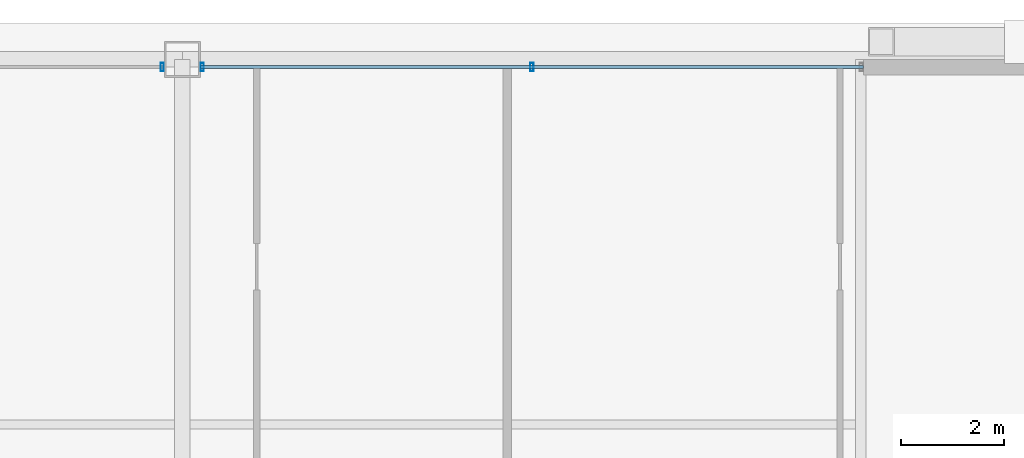
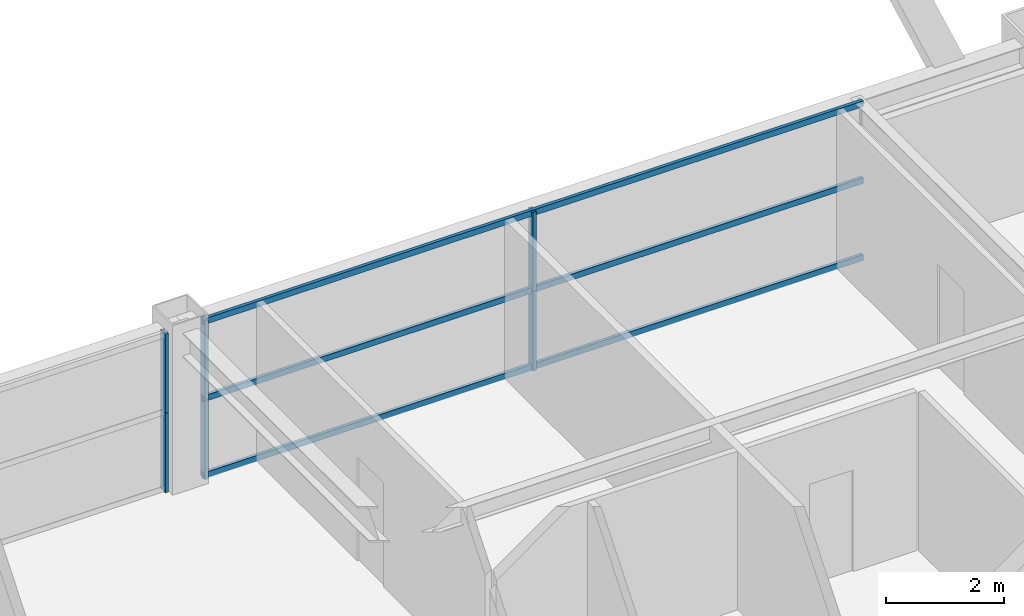
# One storey, part 26 of 35: 9 members, 2 elements without a shape of their own.
"""IFC4 building model written with IfcOpenShell, lengths in metres."""

from ifc_helpers import new_model, si_unit, direction, frame, origin, origin_2d, place, context, subcontext, project, spatial, hollow_rectangle, extrude, source, transform, mapped, material, layer, layer_set, material_profile, profile_set, type_object, element, aggregate, save


model = new_model("IFC4")

# Units and contexts
model_context = context("Model", 3, precision=1e-05, world=origin(), true_north=direction((0.0, 1.0)))
body_context = subcontext(model_context, "Body", "Model", "MODEL_VIEW")
ifc_project = project(units=[si_unit("LENGTHUNIT", "METRE"), si_unit("AREAUNIT", "SQUARE_METRE"), si_unit("VOLUMEUNIT", "CUBIC_METRE"), si_unit("PLANEANGLEUNIT", "RADIAN"), si_unit("MASSUNIT", "GRAM", prefix="KILO"), si_unit("THERMODYNAMICTEMPERATUREUNIT", "KELVIN"), si_unit("POWERUNIT", "WATT")], contexts=[model_context])

# Site, building, storey
site_placement = place(None, origin())
site = spatial("IfcSite", under=ifc_project, at=site_placement, CompositionType="ELEMENT")
building_placement = place(site_placement, origin())
building = spatial("IfcBuilding", under=site, at=building_placement, Name="Yuzanri Waterfront Tower", CompositionType="ELEMENT")
storey_placement = place(building_placement, frame((0.0, 0.0, 248.60009765625)))
storey = spatial("IfcBuildingStorey", under=building, at=storey_placement, Name="L66", CompositionType="ELEMENT", Elevation=248.60009765625)

# Curtain wall, members
ifc_material_1 = material(Name="Anodized Architectural Bronze", Category="metal")
ifc_layer = layer(ifc_material_1, 0.159912109375)
ifc_layer_set = layer_set([ifc_layer], Name="Anodized Architectural Bronze")
curtain_wall_type = type_object("IfcCurtainWallType", Name="Anodized Bronze Mid-Rise Residential Acoustic Unitized Curtain Wall 7200", PredefinedType="NOTDEFINED", material=ifc_layer_set)
curtain_wall_1_placement = place(storey_placement, origin())
curtain_wall_1 = element("IfcCurtainWall", 1, at=curtain_wall_1_placement, inside=storey, type_object=curtain_wall_type, Name="L66 Curtain Wall CW-L66-NL", PredefinedType="NOTDEFINED")
ifc_material_2 = material(Name="Anodized Architectural Bronze", Category="metal")
ifc_material_profile_1 = material_profile(ifc_material_2, hollow_rectangle(XDim=0.06494140625, YDim=0.159912109375, WallThickness=0.00341796875, at=origin_2d()), Name="CWM 65x160")
ifc_profile_set_1 = profile_set([ifc_material_profile_1], Name="Anodized Architectural Bronze")
member_type_1 = type_object("IfcMemberType", Name="Anodized Bronze Upper-Zone Curtain-Wall Mullion 65x160", PredefinedType="MULLION", material=ifc_profile_set_1)
shared_shape_1 = source(origin(), body_context, "Body", "SweptSolid", [
    extrude(hollow_rectangle(XDim=0.06494140625, YDim=0.159912109375, WallThickness=0.00341796875, at=origin_2d()), origin(), (0.0, 0.0, 1.0), 1.637939453125),
])
member_1_placement = place(storey_placement, frame((36.610107421875, 46.25, 0.0), z_axis=(0.0, 0.0, 1.0), x_axis=(1.0, 0.0, 0.0)))
member_1 = element("IfcMember", 2, at=member_1_placement, type_object=member_type_1, Name="CW-L66-NL Lower Mullion 02", PredefinedType="MULLION", context=body_context, shape_type="MappedRepresentation", body=[
    mapped(shared_shape_1, transform((0.0, 0.0, 0.0), scale=1.0)),
])
member_2_placement = place(storey_placement, frame((36.610107421875, 46.25, 1.641845703125), z_axis=(0.0, 0.0, 1.0), x_axis=(1.0, 0.0, 0.0)))
member_2 = element("IfcMember", 3, at=member_2_placement, type_object=member_type_1, Name="CW-L66-NL Upper Mullion 02", PredefinedType="MULLION", context=body_context, shape_type="MappedRepresentation", body=[
    mapped(shared_shape_1, transform((0.0, 0.0, 0.0), scale=1.0)),
])
aggregate(curtain_wall_1, [member_1, member_2])

curtain_wall_2_placement = place(storey_placement, origin())
curtain_wall_2 = element("IfcCurtainWall", 4, at=curtain_wall_2_placement, inside=storey, type_object=curtain_wall_type, Name="L66 Curtain Wall CW-L66-NR", PredefinedType="NOTDEFINED")
member_3_placement = place(storey_placement, frame((37.389892578125, 46.25, 0.0), z_axis=(0.0, 0.0, 1.0), x_axis=(1.0, 0.0, 0.0)))
member_3 = element("IfcMember", 5, at=member_3_placement, type_object=member_type_1, Name="CW-L66-NR Lower Mullion 00", PredefinedType="MULLION", context=body_context, shape_type="MappedRepresentation", body=[
    mapped(shared_shape_1, transform((0.0, 0.0, 0.0), scale=1.0)),
])
member_4_placement = place(storey_placement, frame((37.389892578125, 46.25, 1.641845703125), z_axis=(0.0, 0.0, 1.0), x_axis=(1.0, 0.0, 0.0)))
member_4 = element("IfcMember", 6, at=member_4_placement, type_object=member_type_1, Name="CW-L66-NR Upper Mullion 00", PredefinedType="MULLION", context=body_context, shape_type="MappedRepresentation", body=[
    mapped(shared_shape_1, transform((0.0, 0.0, 0.0), scale=1.0)),
])
member_5_placement = place(storey_placement, frame((43.800048828125, 46.25, 0.0), z_axis=(0.0, 0.0, 1.0), x_axis=(1.0, 0.0, 0.0)))
member_5 = element("IfcMember", 7, at=member_5_placement, type_object=member_type_1, Name="CW-L66-NR Lower Mullion 01", PredefinedType="MULLION", context=body_context, shape_type="MappedRepresentation", body=[
    mapped(shared_shape_1, transform((0.0, 0.0, 0.0), scale=1.0)),
])
member_6_placement = place(storey_placement, frame((43.800048828125, 46.25, 1.641845703125), z_axis=(0.0, 0.0, 1.0), x_axis=(1.0, 0.0, 0.0)))
member_6 = element("IfcMember", 8, at=member_6_placement, type_object=member_type_1, Name="CW-L66-NR Upper Mullion 01", PredefinedType="MULLION", context=body_context, shape_type="MappedRepresentation", body=[
    mapped(shared_shape_1, transform((0.0, 0.0, 0.0), scale=1.0)),
])
ifc_material_3 = material(Name="Anodized Architectural Bronze", Category="metal")
ifc_material_profile_2 = material_profile(ifc_material_3, hollow_rectangle(XDim=0.06494140625, YDim=0.1201171875, WallThickness=0.00341796875, at=origin_2d()), Name="CWT 65x120")
ifc_profile_set_2 = profile_set([ifc_material_profile_2], Name="Anodized Architectural Bronze")
member_type_2 = type_object("IfcMemberType", Name="Anodized Bronze Secondary Curtain-Wall Transom 65x120", PredefinedType="USERDEFINED", material=ifc_profile_set_2)
shared_shape_2 = source(origin(), body_context, "Body", "SweptSolid", [
    extrude(hollow_rectangle(XDim=0.06494140625, YDim=0.1201171875, WallThickness=0.00341796875, at=origin_2d()), origin(), (0.0, 0.0, 1.0), 12.89990234375),
])
member_7_placement = place(storey_placement, frame((37.35009765625, 46.25, 0.0498046875), z_axis=(1.0, 0.0, 0.0), x_axis=(0.0, 1.0, 0.0)))
member_7 = element("IfcMember", 9, at=member_7_placement, type_object=member_type_2, Name="CW-L66-NR Transom 1", ObjectType="TRANSOM", PredefinedType="USERDEFINED", context=body_context, shape_type="MappedRepresentation", body=[
    mapped(shared_shape_2, transform((0.0, 0.0, 0.0), scale=1.0)),
])
member_8_placement = place(storey_placement, frame((37.35009765625, 46.25, 1.639892578125), z_axis=(1.0, 0.0, 0.0), x_axis=(0.0, 1.0, 0.0)))
member_8 = element("IfcMember", 10, at=member_8_placement, type_object=member_type_2, Name="CW-L66-NR Transom 2", ObjectType="TRANSOM", PredefinedType="USERDEFINED", context=body_context, shape_type="MappedRepresentation", body=[
    mapped(shared_shape_2, transform((0.0, 0.0, 0.0), scale=1.0)),
])
member_9_placement = place(storey_placement, frame((37.35009765625, 46.25, 3.22998046875), z_axis=(1.0, 0.0, 0.0), x_axis=(0.0, 1.0, 0.0)))
member_9 = element("IfcMember", 11, at=member_9_placement, type_object=member_type_2, Name="CW-L66-NR Transom 3", ObjectType="TRANSOM", PredefinedType="USERDEFINED", context=body_context, shape_type="MappedRepresentation", body=[
    mapped(shared_shape_2, transform((0.0, 0.0, 0.0), scale=1.0)),
])
aggregate(curtain_wall_2, [member_3, member_4, member_5, member_6, member_7, member_8, member_9])

save(model, "model.ifc")
